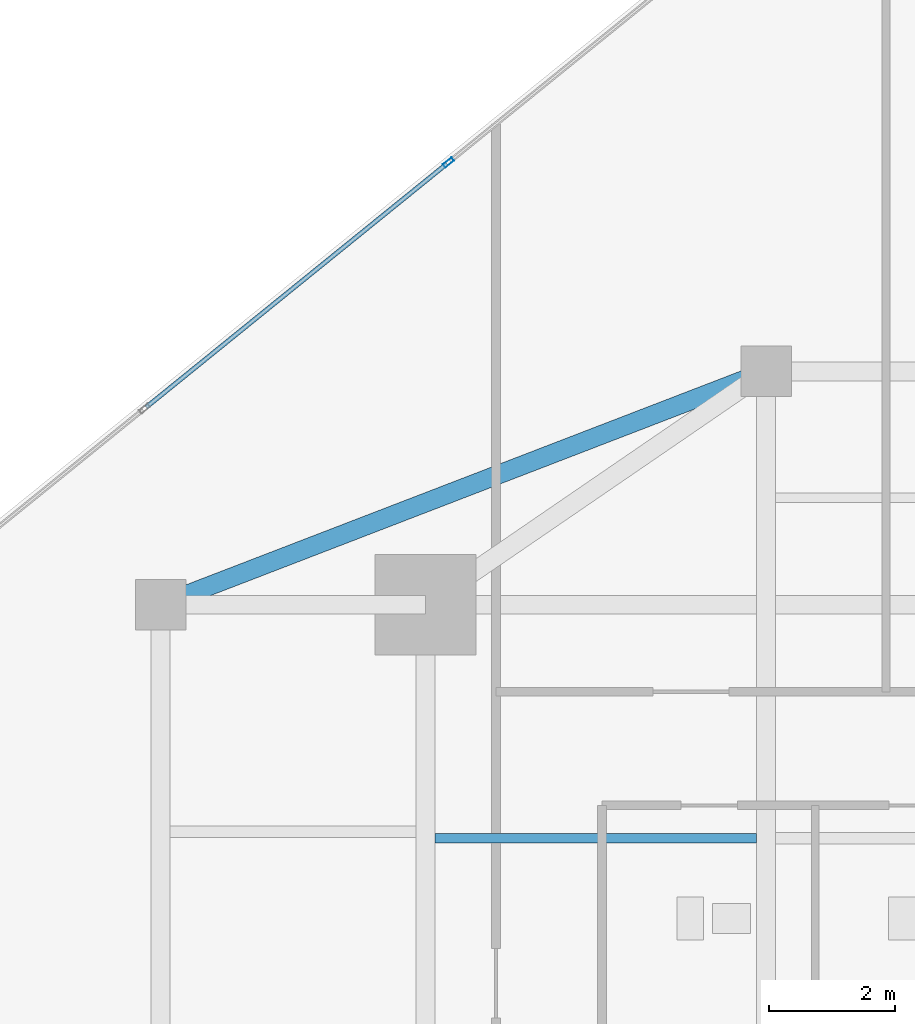
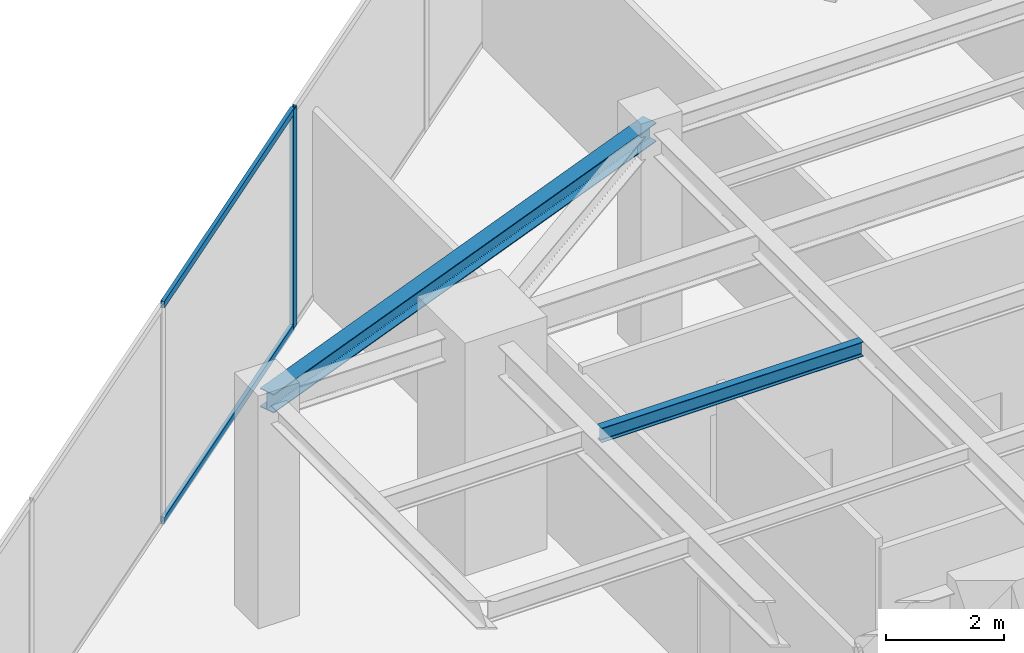
# One storey, part 12 of 22: 3 members, 2 beams, 1 element without a shape of its own.
"""IFC4 building model written with IfcOpenShell, lengths in metres."""

from ifc_helpers import new_model, si_unit, direction, frame, origin, origin_2d, place, context, subcontext, project, spatial, hollow_rectangle, i_section, extrude, source, transform, mapped, material, material_profile, profile_set, type_object, type_shapes, element, aggregate, save


model = new_model("IFC4")

# Units and contexts
model_context = context("Model", 3, precision=1e-05, world=origin(), true_north=direction((0.0, 1.0)))
body_context = subcontext(model_context, "Body", "Model", "MODEL_VIEW")
ifc_project = project(units=[si_unit("LENGTHUNIT", "METRE"), si_unit("AREAUNIT", "SQUARE_METRE"), si_unit("VOLUMEUNIT", "CUBIC_METRE"), si_unit("PLANEANGLEUNIT", "RADIAN"), si_unit("MASSUNIT", "GRAM", prefix="KILO")], contexts=[model_context])

# Site, building, storey
site_placement = place(None, origin())
site = spatial("IfcSite", under=ifc_project, at=site_placement, CompositionType="ELEMENT")
building_placement = place(site_placement, origin())
building = spatial("IfcBuilding", under=site, at=building_placement, Name="Krantzveldt Concourse Tower", CompositionType="ELEMENT")
storey_placement = place(building_placement, frame((0.0, 0.0, 262.60009765625)))
storey = spatial("IfcBuildingStorey", under=building, at=storey_placement, Name="L64", CompositionType="ELEMENT", Elevation=262.60009765625)

# Beams
ifc_material_1 = material(Name="Steel S355JR", Category="steel")
ifc_material_profile_1 = material_profile(ifc_material_1, i_section(OverallWidth=0.300048828125, OverallDepth=0.389892578125, WebThickness=0.010986328125, FlangeThickness=0.01904296875, FilletRadius=0.027099609375, at=origin_2d()), Name="Steel S355JR", Category="steel")
ifc_profile_set_1 = profile_set([ifc_material_profile_1], Name="Steel S355JR - HEA 400")
beam_type_1 = type_object("IfcBeamType", Name="BM-SP-HEA400", PredefinedType="SPANDREL", material=ifc_profile_set_1)
shared_shape_1 = source(origin(), body_context, "Body", "SweptSolid", [
    extrude(i_section(OverallWidth=0.300048828125, OverallDepth=0.389892578125, WebThickness=0.010986328125, FlangeThickness=0.01904296875, FilletRadius=0.027099609375, at=origin_2d()), origin(), (0.0, 0.0, 1.0), 10.288330078125),
])
type_shapes(beam_type_1, [shared_shape_1])
beam_1_placement = place(storey_placement, frame((21.0, 37.5, 4.324951171875), z_axis=(0.933097690408, 0.359622997257, 0.0), x_axis=(-0.359622997257, 0.933097690408, 0.0)))
element("IfcBeam", 1, at=beam_1_placement, inside=storey, type_object=beam_type_1, Name="L64 Tower Girder SP-R03", PredefinedType="SPANDREL", context=body_context, shape_type="MappedRepresentation", body=[
    mapped(shared_shape_1, transform((0.0, 0.0, 0.0), x_axis=(1.0, 0.0, 0.0), y_axis=(0.0, 1.0, 0.0), z_axis=(0.0, 0.0, 1.0), scale=1.0)),
])
ifc_material_profile_2 = material_profile(ifc_material_1, i_section(OverallWidth=0.14990234375, OverallDepth=0.300048828125, WebThickness=0.007080078125, FlangeThickness=0.0107421875, FilletRadius=0.014892578125, at=origin_2d()), Name="Steel S355JR", Category="steel")
ifc_profile_set_2 = profile_set([ifc_material_profile_2], Name="Steel S355JR - IPE 300")
beam_type_2 = type_object("IfcBeamType", Name="BM-J-IPE300", PredefinedType="JOIST", material=ifc_profile_set_2)
shared_shape_2 = source(origin(), body_context, "Body", "SweptSolid", [
    extrude(i_section(OverallWidth=0.14990234375, OverallDepth=0.300048828125, WebThickness=0.007080078125, FlangeThickness=0.0107421875, FilletRadius=0.014892578125, at=origin_2d()), origin(), (0.0, 0.0, 1.0), 5.099853515625),
])
type_shapes(beam_type_2, [shared_shape_2])
beam_2_placement = place(storey_placement, frame((25.35009765625, 33.800048828125, 4.369873046875), z_axis=(1.0, 0.0, 0.0), x_axis=(0.0, 1.0, 0.0)))
element("IfcBeam", 2, at=beam_2_placement, inside=storey, type_object=beam_type_2, Name="L64 Secondary Floor Joist JN-W2", PredefinedType="JOIST", context=body_context, shape_type="MappedRepresentation", body=[
    mapped(shared_shape_2, transform((0.0, 0.0, 0.0), x_axis=(1.0, 0.0, 0.0), y_axis=(0.0, 1.0, 0.0), z_axis=(0.0, 0.0, 1.0), scale=1.0)),
])

# Curtain wall, members
ifc_material_2 = material(Name="Anodised aluminium 6063-T6", Category="aluminium")
curtain_wall_type = type_object("IfcCurtainWallType", Name="CW5", PredefinedType="USERDEFINED", material=ifc_material_2)
curtain_wall_placement = place(storey_placement, origin())
curtain_wall = element("IfcCurtainWall", 3, at=curtain_wall_placement, inside=storey, type_object=curtain_wall_type, Name="CW-L64-F01", ObjectType="UNITISED CURTAIN WALL", PredefinedType="USERDEFINED")
ifc_material_profile_3 = material_profile(ifc_material_2, hollow_rectangle(XDim=0.070068359375, YDim=0.179931640625, WallThickness=0.0048828125, at=origin_2d()), Name="Anodised aluminium 6063-T6", Category="aluminium")
ifc_profile_set_3 = profile_set([ifc_material_profile_3], Name="Anodised aluminium 6063-T6 - ALU-MULL 180x70x5")
member_type_1 = type_object("IfcMemberType", Name="CW-MUL-180", PredefinedType="MULLION", material=ifc_profile_set_3)
shared_shape_3 = source(origin(), body_context, "Body", "SweptSolid", [
    extrude(hollow_rectangle(XDim=0.070068359375, YDim=0.179931640625, WallThickness=0.0048828125, at=origin_2d()), origin(), (0.0, 0.0, 1.0), 4.52001953125),
])
type_shapes(member_type_1, [shared_shape_3])
member_1_placement = place(storey_placement, frame((25.564697265625, 44.512451171875, 0.0), z_axis=(0.0, 0.0, 1.0), x_axis=(0.629320425502, -0.777145933558, 0.0)))
member_1 = element("IfcMember", 4, at=member_1_placement, type_object=member_type_1, Name="CW-SKY mullion 3", PredefinedType="MULLION", context=body_context, shape_type="MappedRepresentation", body=[
    mapped(shared_shape_3, transform((0.0, 0.0, 0.0), x_axis=(1.0, 0.0, 0.0), y_axis=(0.0, 1.0, 0.0), z_axis=(0.0, 0.0, 1.0), scale=1.0)),
])
ifc_material_profile_4 = material_profile(ifc_material_2, hollow_rectangle(XDim=0.070068359375, YDim=0.139892578125, WallThickness=0.0048828125, at=origin_2d()), Name="Anodised aluminium 6063-T6", Category="aluminium")
ifc_profile_set_4 = profile_set([ifc_material_profile_4], Name="Anodised aluminium 6063-T6 - ALU-TRAN 140x70x5")
member_type_2 = type_object("IfcMemberType", Name="CW-TRN-150", PredefinedType="USERDEFINED", material=ifc_profile_set_4)
shared_shape_4 = source(origin(), body_context, "Body", "SweptSolid", [
    extrude(hollow_rectangle(XDim=0.070068359375, YDim=0.139892578125, WallThickness=0.0048828125, at=origin_2d()), origin(), (0.0, 0.0, 1.0), 6.130126953125),
])
type_shapes(member_type_2, [shared_shape_4])
member_2_placement = place(storey_placement, frame((25.53759765625, 44.490478515625, 0.034912109375), z_axis=(-0.777132635174, -0.629336847282, 0.0), x_axis=(0.629336847282, -0.777132635174, 0.0)))
member_2 = element("IfcMember", 5, at=member_2_placement, type_object=member_type_2, Name="CW-SKY transom 3.1", ObjectType="TRANSOM", PredefinedType="USERDEFINED", context=body_context, shape_type="MappedRepresentation", body=[
    mapped(shared_shape_4, transform((0.0, 0.0, 0.0), x_axis=(1.0, 0.0, 0.0), y_axis=(0.0, 1.0, 0.0), z_axis=(0.0, 0.0, 1.0), scale=1.0)),
])
member_3_placement = place(storey_placement, frame((25.53759765625, 44.490478515625, 4.48486328125), z_axis=(-0.777132635174, -0.629336847282, 0.0), x_axis=(0.629336847282, -0.777132635174, 0.0)))
member_3 = element("IfcMember", 6, at=member_3_placement, type_object=member_type_2, Name="CW-SKY transom 3.2", ObjectType="TRANSOM", PredefinedType="USERDEFINED", context=body_context, shape_type="MappedRepresentation", body=[
    mapped(shared_shape_4, transform((0.0, 0.0, 0.0), x_axis=(1.0, 0.0, 0.0), y_axis=(0.0, 1.0, 0.0), z_axis=(0.0, 0.0, 1.0), scale=1.0)),
])
aggregate(curtain_wall, [member_1, member_2, member_3])

save(model, "model.ifc")
